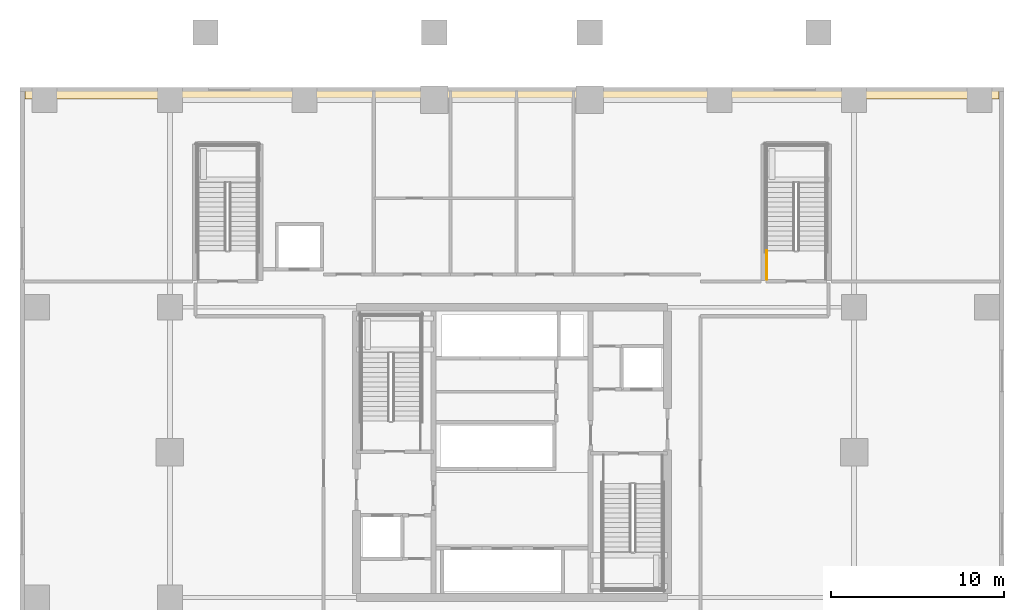
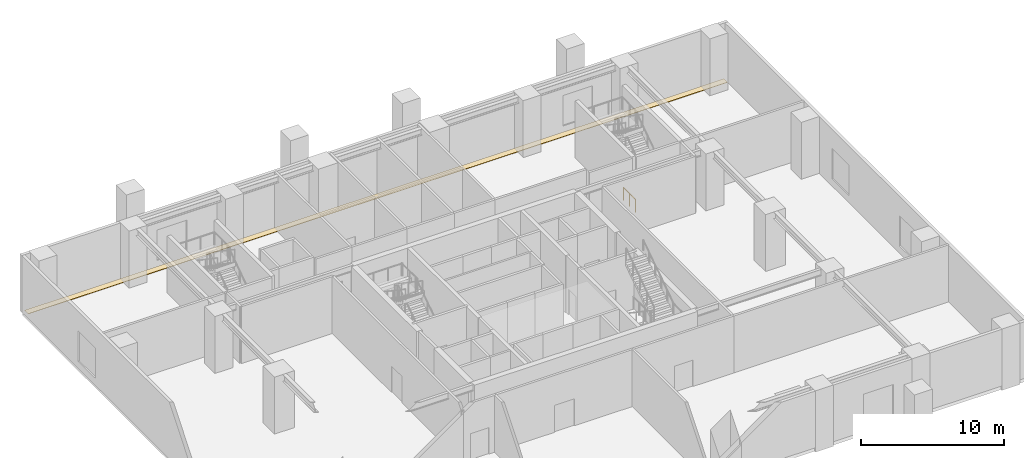
# One storey, part 11 of 12: 1 covering, 1 railing.
"""IFC4 building model written with IfcOpenShell, lengths in metres."""

import ifcopenshell
import ifcopenshell.guid

model = None  # the IFC model being written
_history = None  # IfcOwnerHistory: only IFC2X3 demands one
_inside = {}  # id of a spatial element -> (the spatial element, [elements in it])
_under = {}  # id of a project, library or spatial element -> (it, [spatial elements below it])
_declared = {}  # id of a project -> (the project, [libraries it declares])
_typed = {}  # id of a type object -> (the type object, [elements of that type])
_made_of = {}  # id of a material, layer set ... -> (it, [elements and type objects made of it])


def new_model(schema):
    """Start an empty IFC model of exactly this schema.

    Asked for "IFC4X3", IfcOpenShell would pick the latest addendum, in which some entities
    have other attributes; the version numbers below select the first issue.
    IFC2X3 requires an IfcOwnerHistory on every rooted entity: one is made here for all.
    """
    global model, _history
    if schema == "IFC4X3":
        model = ifcopenshell.file(schema_version=(4, 3, 0, 0))
    else:
        model = ifcopenshell.file(schema=schema)
    _inside.clear()
    _under.clear()
    _declared.clear()
    _typed.clear()
    _made_of.clear()
    _history = None
    if model.schema == "IFC2X3":
        org = make("IfcOrganization", Name="unknown")
        user = make(
            "IfcPersonAndOrganization",
            ThePerson=make("IfcPerson", FamilyName="unknown"),
            TheOrganization=org,
        )
        app = make(
            "IfcApplication",
            ApplicationDeveloper=org,
            Version="unknown",
            ApplicationFullName="unknown",
            ApplicationIdentifier="unknown",
        )
        _history = make(
            "IfcOwnerHistory",
            OwningUser=user,
            OwningApplication=app,
            ChangeAction="ADDED",
            CreationDate=0,
        )
    return model


def make(cls, **values):
    """One entity of the class cls with the attributes given. An attribute that is None is left unset."""
    return model.create_entity(
        cls, **{name: value for name, value in values.items() if value is not None}
    )


def rooted(cls, **values):
    """An entity with a GlobalId (a new one), such as an element, a storey or a relation."""
    return make(cls, GlobalId=ifcopenshell.guid.new(), OwnerHistory=_history, **values)


def si_unit(unit_type, name, prefix=None):
    """IfcSIUnit, for example si_unit("LENGTHUNIT", "METRE", prefix="MILLI")."""
    return make("IfcSIUnit", UnitType=unit_type, Prefix=prefix, Name=name)


def assignment(units):
    """IfcUnitAssignment: the units of a project."""
    return None if units is None else make("IfcUnitAssignment", Units=units)


def point(xyz):
    """IfcCartesianPoint."""
    return None if xyz is None else make("IfcCartesianPoint", Coordinates=xyz)


def direction(xyz):
    """IfcDirection."""
    return None if xyz is None else make("IfcDirection", DirectionRatios=xyz)


def frame(location, z_axis=None, x_axis=None):
    """IfcAxis2Placement3D, a coordinate frame: its origin and axes. An axis left out is left unset."""
    return make(
        "IfcAxis2Placement3D",
        Location=point(location),
        Axis=direction(z_axis),
        RefDirection=direction(x_axis),
    )


def frame_2d(location, x_axis=None):
    """IfcAxis2Placement2D, a coordinate frame in the plane: its origin and x axis."""
    return make(
        "IfcAxis2Placement2D", Location=point(location), RefDirection=direction(x_axis)
    )


def origin():
    """The frame at (0, 0, 0) with its axes left unset."""
    return frame((0.0, 0.0, 0.0))


def origin_2d():
    """The frame at (0, 0) in the plane with its x axis left unset."""
    return frame_2d((0.0, 0.0))


def place(relative_to, where):
    """IfcLocalPlacement: puts the frame where relative to a parent placement (None: the world)."""
    return make(
        "IfcLocalPlacement", PlacementRelTo=relative_to, RelativePlacement=where
    )


def context(
    kind, dimensions, precision=None, world=None, true_north=None, identifier=None
):
    """IfcGeometricRepresentationContext, for example the 3D "Model" context."""
    return make(
        "IfcGeometricRepresentationContext",
        ContextIdentifier=identifier,
        ContextType=kind,
        CoordinateSpaceDimension=dimensions,
        Precision=precision,
        WorldCoordinateSystem=world,
        TrueNorth=true_north,
    )


def subcontext(parent, identifier, kind, view, scale=None):
    """IfcGeometricRepresentationSubContext, for example "Body" below "Model"."""
    return make(
        "IfcGeometricRepresentationSubContext",
        ContextIdentifier=identifier,
        ContextType=kind,
        ParentContext=parent,
        TargetScale=scale,
        TargetView=view,
    )


def project(units=None, contexts=None):
    """IfcProject with its units and contexts."""
    return rooted(
        "IfcProject",
        Name="project",
        RepresentationContexts=contexts,
        UnitsInContext=assignment(units),
    )


def spatial(cls, under=None, at=None, **own):
    """A site, building, storey or space (cls), placed at a placement, below another one or the project."""
    s = rooted(cls, ObjectPlacement=at, **own)
    if under is not None:
        _under.setdefault(under.id(), (under, []))[1].append(s)
    return s


def polyline(points):
    """IfcPolyline through the points."""
    return make("IfcPolyline", Points=[point(p) for p in points])


def profile(cls, at=None, kind="AREA", **sizes):
    """A parametric profile (cls). Its sizes go by their IFC names, for example OverallWidth=200.0."""
    return make(cls, ProfileType=kind, Position=at, **sizes)


def circle(**sizes):
    """IfcCircleProfileDef."""
    return profile("IfcCircleProfileDef", **sizes)


def outline(outer, holes=None, kind="AREA"):
    """IfcArbitraryClosedProfileDef: a profile drawn as a closed curve; with holes, ...WithVoids."""
    if holes is None:
        return make("IfcArbitraryClosedProfileDef", ProfileType=kind, OuterCurve=outer)
    return make(
        "IfcArbitraryProfileDefWithVoids",
        ProfileType=kind,
        OuterCurve=outer,
        InnerCurves=holes,
    )


def extrude(swept, where, along, depth):
    """IfcExtrudedAreaSolid: the profile swept, set in the frame where, extruded along a direction by depth."""
    return make(
        "IfcExtrudedAreaSolid",
        SweptArea=swept,
        Position=where,
        ExtrudedDirection=direction(along),
        Depth=depth,
    )


def shape(context_of_items, identifier, shape_type, items):
    """IfcShapeRepresentation: the items that make up one representation, for example the "Body"."""
    return make(
        "IfcShapeRepresentation",
        ContextOfItems=context_of_items,
        RepresentationIdentifier=identifier,
        RepresentationType=shape_type,
        Items=items,
    )


def material(Name=None, Category=None):
    """IfcMaterial."""
    return make("IfcMaterial", Name=Name, Category=Category)


def layer(
    of_material, thickness, ventilated=None, Name=None, Category=None, Priority=None
):
    """IfcMaterialLayer: one layer of a wall or slab, of a material (None: an air gap)."""
    return make(
        "IfcMaterialLayer",
        Material=of_material,
        LayerThickness=thickness,
        IsVentilated=ventilated,
        Name=Name,
        Category=Category,
        Priority=Priority,
    )


def layer_set(layers, Name=None):
    """IfcMaterialLayerSet."""
    return make("IfcMaterialLayerSet", MaterialLayers=layers, LayerSetName=Name)


def made_of(thing, what):
    """Note that an element or type object is made of a material, layer set ...; save() writes the relation."""
    if what is not None:
        _made_of.setdefault(what.id(), (what, []))[1].append(thing)
    return thing


def type_object(cls, material=None, **own):
    """A type object (cls), such as IfcWallType, which elements share."""
    return made_of(rooted(cls, **own), material)


def element(
    cls,
    number,
    at=None,
    inside=None,
    cuts=None,
    type_object=None,
    material=None,
    context=None,
    identifier="Body",
    shape_type=None,
    held_by="IfcProductDefinitionShape",
    body=None,
    shapes=None,
    **own,
):
    """One element of the class cls, such as IfcWall. Its Tag is "e" and its number.

    at: its placement. inside: the storey or other place that contains it. cuts: it is an
    opening in that element (IfcRelVoidsElement). A single representation is given by context,
    identifier, shape_type and body (its items); several are given by shapes. held_by: the class
    of the entity that holds the representations. save() writes the other relations.
    """
    e = rooted(cls, Tag="e%d" % number, ObjectPlacement=at, **own)
    if body is not None:
        shapes = [shape(context, identifier, shape_type, body)]
    if shapes is not None:
        e.Representation = make(held_by, Representations=shapes)
    if inside is not None:
        _inside.setdefault(inside.id(), (inside, []))[1].append(e)
    if cuts is not None:
        rooted(
            "IfcRelVoidsElement", RelatingBuildingElement=cuts, RelatedOpeningElement=e
        )
    if type_object is not None:
        _typed.setdefault(type_object.id(), (type_object, []))[1].append(e)
    return made_of(e, material)


def aggregate(whole, parts):
    """IfcRelAggregates: a whole, such as a stair, and the parts it consists of."""
    return rooted("IfcRelAggregates", RelatingObject=whole, RelatedObjects=parts)


def save(model, path):
    """Write the relations noted so far, then the file.

    IfcRelAggregates (storeys below a building ...), IfcRelContainedInSpatialStructure (elements
    in a storey), IfcRelDefinesByType, IfcRelAssociatesMaterial and IfcRelDeclares: one each for
    every whole, place, type object, material and project.
    """
    for whole, parts in _under.values():
        aggregate(whole, parts)
    for where, things in _inside.values():
        rooted(
            "IfcRelContainedInSpatialStructure",
            RelatedElements=things,
            RelatingStructure=where,
        )
    for kind, things in _typed.values():
        rooted("IfcRelDefinesByType", RelatedObjects=things, RelatingType=kind)
    for what, things in _made_of.values():
        rooted("IfcRelAssociatesMaterial", RelatedObjects=things, RelatingMaterial=what)
    for by, libraries in _declared.values():
        rooted("IfcRelDeclares", RelatingContext=by, RelatedDefinitions=libraries)
    model.write(path)


model = new_model("IFC4")

# Units and contexts
model_context = context("Model", 3, precision=1e-05, world=origin(), true_north=direction((0.0, 1.0)))
body_context = subcontext(model_context, "Body", "Model", "MODEL_VIEW")
ifc_project = project(units=[si_unit("LENGTHUNIT", "METRE"), si_unit("AREAUNIT", "SQUARE_METRE"), si_unit("VOLUMEUNIT", "CUBIC_METRE"), si_unit("PLANEANGLEUNIT", "RADIAN"), si_unit("MASSUNIT", "GRAM", prefix="KILO")], contexts=[model_context])

# Site, building, storey
site_placement = place(None, origin())
site = spatial("IfcSite", under=ifc_project, at=site_placement, CompositionType="ELEMENT")
building_placement = place(site_placement, origin())
building = spatial("IfcBuilding", under=site, at=building_placement, Name="Serunith Strait Residences", CompositionType="ELEMENT")
storey_placement = place(building_placement, frame((0.0, 0.0, 15.300048828125)))
storey = spatial("IfcBuildingStorey", under=building, at=storey_placement, Name="L03", CompositionType="ELEMENT", Elevation=15.300048828125)

# Covering
ifc_material_1 = material(Name="EPDM & Inverted Stone Ballast Waterproofing Membrane", Category="masonry")
ifc_layer = layer(ifc_material_1, 0.034912109375, Name="EPDM & Inverted Stone Ballast Waterproofing Membrane")
ifc_layer_set = layer_set([ifc_layer], Name="EPDM & Inverted Stone Ballast Waterproofing Membrane")
covering_type = type_object("IfcCoveringType", Name="COV-ROOF-MEMB", PredefinedType="ROOFING", material=ifc_layer_set)
covering_placement = place(storey_placement, origin())
element("IfcCovering", 1, at=covering_placement, inside=storey, type_object=covering_type, Name="L03 Setback Roof Waterproofing Membrane 03", PredefinedType="ROOFING", context=body_context, shape_type="SweptSolid", body=[
    extrude(outline(polyline([(4.199951171875, 45.64990234375), (60.60009765625, 45.64990234375), (60.60009765625, 46.14990234375), (4.199951171875, 46.14990234375), (4.199951171875, 45.64990234375)])), origin(), (0.0, 0.0, 1.0), 0.034912109375),
])

# Railing
ifc_material_2 = material(Name="Brushed stainless steel 316L", Category="steel")
railing_type = type_object("IfcRailingType", Name="RLG-STAIR-GUARD", PredefinedType="BALUSTRADE", material=ifc_material_2)
railing_placement = place(storey_placement, frame((47.14990234375, 35.199951171875, 0.0)))
element("IfcRailing", 2, at=railing_placement, inside=storey, type_object=railing_type, Name="L03 ST-4 stair guard 9", PredefinedType="BALUSTRADE", context=body_context, shape_type="SweptSolid", body=[
    extrude(circle(Radius=0.02392578125, at=origin_2d()), frame((0.0, 0.001953125, 1.076171875), z_axis=(0.0, 1.0, 0.0), x_axis=(-1.0, 0.0, 0.0)), (0.0, 0.0, 1.0), 1.676025390625),
    extrude(circle(Radius=0.02099609375, at=origin_2d()), origin(), (0.0, 0.0, 1.0), 1.050048828125),
    extrude(circle(Radius=0.02099609375, at=origin_2d()), frame((0.0, 0.83984375, 0.0)), (0.0, 0.0, 1.0), 1.050048828125),
    extrude(circle(Radius=0.02099609375, at=origin_2d()), frame((0.0, 1.679931640625, 0.0)), (0.0, 0.0, 1.0), 1.050048828125),
])

save(model, "model.ifc")
